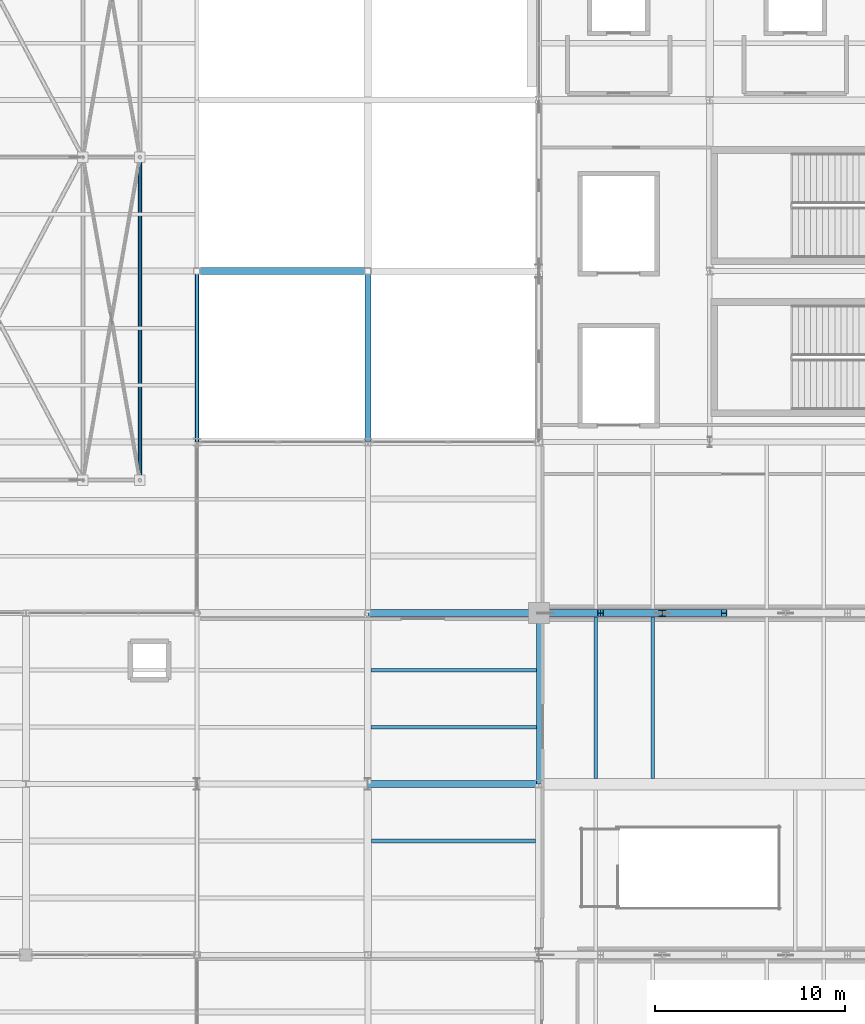
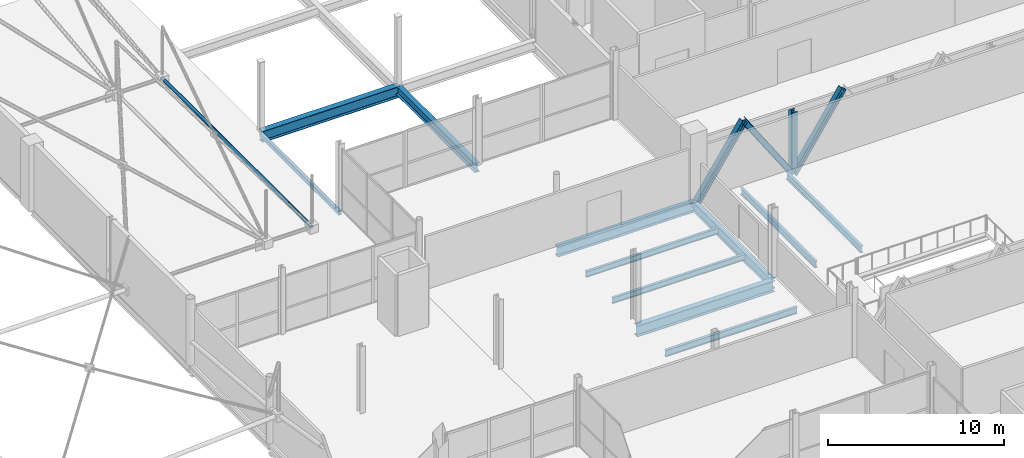
# One storey, part 135 of 224: 11 beams, 5 members.
"""IFC4 building model written with IfcOpenShell, lengths in metres."""

from ifc_helpers import new_model, si_unit, direction, frame, origin, origin_2d, place, context, subcontext, project, spatial, hollow_rectangle, hollow_circle, i_section, extrude, material, material_profile, profile_set, type_object, element, save


model = new_model("IFC4")

# Units and contexts
model_context = context("Model", 3, precision=1e-05, world=origin(), true_north=direction((0.0, 1.0)))
body_context = subcontext(model_context, "Body", "Model", "MODEL_VIEW")
ifc_project = project(units=[si_unit("LENGTHUNIT", "METRE"), si_unit("AREAUNIT", "SQUARE_METRE"), si_unit("VOLUMEUNIT", "CUBIC_METRE"), si_unit("PLANEANGLEUNIT", "RADIAN"), si_unit("MASSUNIT", "GRAM", prefix="KILO")], contexts=[model_context])

# Site, building, storey
site_placement = place(None, origin())
site = spatial("IfcSite", under=ifc_project, at=site_placement, CompositionType="ELEMENT")
building_placement = place(site_placement, origin())
building = spatial("IfcBuilding", under=site, at=building_placement, Name="Qamarlyn Nura Convention Centre", CompositionType="ELEMENT")
storey_placement = place(building_placement, frame((0.0, 0.0, 10.800048828125)))
storey = spatial("IfcBuildingStorey", under=building, at=storey_placement, Name="L02", CompositionType="ELEMENT", Elevation=10.800048828125)

# Beams
ifc_material_1 = material(Name="Steel ASTM A992", Category="steel")
ifc_material_profile_1 = material_profile(ifc_material_1, i_section(OverallWidth=0.323974609375, OverallDepth=0.611083984375, WebThickness=0.0126953125, FlangeThickness=0.01904296875, FilletRadius=0.01611328125, at=origin_2d()), Name="W610X155")
ifc_profile_set_1 = profile_set([ifc_material_profile_1], Name="Steel ASTM A992")
beam_type_1 = type_object("IfcBeamType", Name="BM-GIRD-610", PredefinedType="BEAM", material=ifc_profile_set_1)
beam_1_placement = place(storey_placement, frame((144.0, 54.0, -0.3056640625), z_axis=(0.0, 1.0, 0.0), x_axis=(-1.0, 0.0, 0.0)))
element("IfcBeam", 1, at=beam_1_placement, inside=storey, type_object=beam_type_1, Name="L02 girder 12 G-H", PredefinedType="BEAM", context=body_context, shape_type="SweptSolid", body=[
    extrude(i_section(OverallWidth=0.323974609375, OverallDepth=0.611083984375, WebThickness=0.0126953125, FlangeThickness=0.01904296875, FilletRadius=0.01611328125, at=origin_2d()), origin(), (0.0, 0.0, 1.0), 9.0),
])
ifc_material_profile_2 = material_profile(ifc_material_1, i_section(OverallWidth=0.35498046875, OverallDepth=0.695068359375, WebThickness=0.015380859375, FlangeThickness=0.02490234375, FilletRadius=0.01806640625, at=origin_2d()), Name="W690X217")
ifc_profile_set_2 = profile_set([ifc_material_profile_2], Name="Steel ASTM A992")
beam_type_2 = type_object("IfcBeamType", Name="BM-GIRD-690A", PredefinedType="BEAM", material=ifc_profile_set_2)
beam_2_placement = place(storey_placement, frame((144.0, 45.0, -0.607666015625), z_axis=(1.0, 0.0, 0.0), x_axis=(0.0, 1.0, 0.0)))
element("IfcBeam", 2, at=beam_2_placement, inside=storey, type_object=beam_type_2, Name="L02 girder F 12-13", PredefinedType="BEAM", context=body_context, shape_type="SweptSolid", body=[
    extrude(i_section(OverallWidth=0.35498046875, OverallDepth=0.695068359375, WebThickness=0.015380859375, FlangeThickness=0.02490234375, FilletRadius=0.01806640625, at=origin_2d()), origin(), (0.0, 0.0, 1.0), 9.0),
])
ifc_material_profile_3 = material_profile(ifc_material_1, i_section(OverallWidth=0.25390625, OverallDepth=0.68408203125, WebThickness=0.012451171875, FlangeThickness=0.01904296875, FilletRadius=0.01806640625, at=origin_2d()), Name="W690X140")
ifc_profile_set_3 = profile_set([ifc_material_profile_3], Name="Steel ASTM A992")
beam_type_3 = type_object("IfcBeamType", Name="BM-GIRD-690B", PredefinedType="BEAM", material=ifc_profile_set_3)
beam_3_placement = place(storey_placement, frame((153.0, 36.0, -0.60205078125), z_axis=(0.0, 1.0, 0.0), x_axis=(-1.0, 0.0, 0.0)))
element("IfcBeam", 3, at=beam_3_placement, inside=storey, type_object=beam_type_3, Name="L02 girder 13 E-F", PredefinedType="BEAM", context=body_context, shape_type="SweptSolid", body=[
    extrude(i_section(OverallWidth=0.25390625, OverallDepth=0.68408203125, WebThickness=0.012451171875, FlangeThickness=0.01904296875, FilletRadius=0.01806640625, at=origin_2d()), origin(), (0.0, 0.0, 1.0), 9.0),
])
ifc_material_profile_4 = material_profile(ifc_material_1, i_section(OverallWidth=0.381103515625, OverallDepth=0.77294921875, WebThickness=0.0166015625, FlangeThickness=0.027587890625, FilletRadius=0.02001953125, at=origin_2d()), Name="W760X257")
ifc_profile_set_4 = profile_set([ifc_material_profile_4], Name="Steel ASTM A992")
beam_type_4 = type_object("IfcBeamType", Name="BM-GIRD-760", PredefinedType="BEAM", material=ifc_profile_set_4)
for number, where, z_axis, x_axis, name in (
    (4, (144.0, 36.0, -0.646484375), (1.0, 0.0, 0.0), (0.0, 1.0, 0.0), "L02 girder E 12-13"),
    (5, (135.0, 63.0, -0.386474609375), (1.0, 0.0, 0.0), (0.0, 1.0, 0.0), "L02 girder H 11-12"),
):
    element("IfcBeam", number, at=place(storey_placement, frame(where, z_axis=z_axis, x_axis=x_axis)), inside=storey, type_object=beam_type_4, Name=name, PredefinedType="BEAM", context=body_context, shape_type="SweptSolid", body=[
        extrude(i_section(OverallWidth=0.381103515625, OverallDepth=0.77294921875, WebThickness=0.0166015625, FlangeThickness=0.027587890625, FilletRadius=0.02001953125, at=origin_2d()), origin(), (0.0, 0.0, 1.0), 9.0),
    ])
ifc_material_profile_5 = material_profile(ifc_material_1, i_section(OverallWidth=0.177978515625, OverallDepth=0.406982421875, WebThickness=0.0078125, FlangeThickness=0.0126953125, FilletRadius=0.011962890625, at=origin_2d()), Name="W410X60")
ifc_profile_set_5 = profile_set([ifc_material_profile_5], Name="Steel ASTM A992")
beam_type_5 = type_object("IfcBeamType", Name="BM-JOIST-410", PredefinedType="JOIST", material=ifc_profile_set_5)
for number, where, z_axis, x_axis, name in (
    (6, (144.177490234375, 39.0, -0.463623046875), (1.0, 0.0, 0.0), (0.0, 1.0, 0.0), "L02 composite joist 12-13/E+1"),
    (7, (144.177490234375, 42.0, -0.463623046875), (1.0, 0.0, 0.0), (0.0, 1.0, 0.0), "L02 composite joist 12-13/E+2"),
):
    element("IfcBeam", number, at=place(storey_placement, frame(where, z_axis=z_axis, x_axis=x_axis)), inside=storey, type_object=beam_type_5, Name=name, PredefinedType="JOIST", context=body_context, shape_type="SweptSolid", body=[
        extrude(i_section(OverallWidth=0.177978515625, OverallDepth=0.406982421875, WebThickness=0.0078125, FlangeThickness=0.0126953125, FilletRadius=0.011962890625, at=origin_2d()), origin(), (0.0, 0.0, 1.0), 8.695556640625),
    ])
ifc_material_profile_6 = material_profile(ifc_material_1, i_section(OverallWidth=0.18994140625, OverallDepth=0.45703125, WebThickness=0.009033203125, FlangeThickness=0.014404296875, FilletRadius=0.012939453125, at=origin_2d()), Name="W460X74")
ifc_profile_set_6 = profile_set([ifc_material_profile_6], Name="Steel ASTM A992")
beam_type_6 = type_object("IfcBeamType", Name="BM-JOIST-460", PredefinedType="JOIST", material=ifc_profile_set_6)
beam_4_placement = place(storey_placement, frame((144.1904296875, 33.0, -0.488525390625), z_axis=(1.0, 0.0, 0.0), x_axis=(0.0, 1.0, 0.0)))
element("IfcBeam", 8, at=beam_4_placement, inside=storey, type_object=beam_type_6, Name="L02 composite joist 12-13/D+2", PredefinedType="JOIST", context=body_context, shape_type="SweptSolid", body=[
    extrude(i_section(OverallWidth=0.18994140625, OverallDepth=0.45703125, WebThickness=0.009033203125, FlangeThickness=0.014404296875, FilletRadius=0.012939453125, at=origin_2d()), origin(), (0.0, 0.0, 1.0), 8.632080078125),
])
for number, where, z_axis, x_axis, name in (
    (9, (156.0, 36.300048828125, -0.488525390625), (0.0, 1.0, 0.0), (-1.0, 0.0, 0.0), "L02 secondary joist 13-14/E-F-05"),
    (10, (159.0, 36.300048828125, -0.488525390625), (0.0, 1.0, 0.0), (-1.0, 0.0, 0.0), "L02 secondary joist 13-14/E-F-06"),
):
    element("IfcBeam", number, at=place(storey_placement, frame(where, z_axis=z_axis, x_axis=x_axis)), inside=storey, type_object=beam_type_6, Name=name, PredefinedType="JOIST", context=body_context, shape_type="SweptSolid", body=[
        extrude(i_section(OverallWidth=0.18994140625, OverallDepth=0.45703125, WebThickness=0.009033203125, FlangeThickness=0.014404296875, FilletRadius=0.012939453125, at=origin_2d()), origin(), (0.0, 0.0, 1.0), 8.490966796875),
    ])
ifc_material_2 = material(Name="Steel ASTM A500 Grade C", Category="steel")
ifc_material_profile_7 = material_profile(ifc_material_2, hollow_rectangle(XDim=0.199951171875, YDim=0.300048828125, WallThickness=0.012451171875, InnerFilletRadius=0.012451171875, OuterFilletRadius=0.02490234375, at=origin_2d()), Name="HSS300X200X12.5")
ifc_profile_set_7 = profile_set([ifc_material_profile_7], Name="Steel ASTM A500 Grade C")
beam_type_7 = type_object("IfcBeamType", Name="BM-SPAN-HSS", PredefinedType="SPANDREL", material=ifc_profile_set_7)
beam_5_placement = place(storey_placement, frame((135.0, 54.0, -0.295166015625), z_axis=(0.0, 1.0, 0.0), x_axis=(-1.0, 0.0, 0.0)))
element("IfcBeam", 11, at=beam_5_placement, inside=storey, type_object=beam_type_7, Name="L02 girder 11 G-H", PredefinedType="SPANDREL", context=body_context, shape_type="SweptSolid", body=[
    extrude(hollow_rectangle(XDim=0.199951171875, YDim=0.300048828125, WallThickness=0.012451171875, InnerFilletRadius=0.012451171875, OuterFilletRadius=0.02490234375, at=origin_2d()), origin(), (0.0, 0.0, 1.0), 9.0),
])

# Members
ifc_material_3 = material(Name="Pearl-white PVDF steel ASTM A500 Grade C", Category="steel")
ifc_material_profile_8 = material_profile(ifc_material_3, hollow_circle(Radius=0.109619140625, WallThickness=0.010009765625, at=origin_2d()), Name="CHS219.1X10")
ifc_profile_set_8 = profile_set([ifc_material_profile_8], Name="Pearl-white PVDF steel ASTM A500 Grade C")
member_type_1 = type_object("IfcMemberType", Name="SF-BC-EAVE", PredefinedType="CHORD", material=ifc_profile_set_8)
member_1_placement = place(storey_placement, frame((132.0, 52.0, 1.0107421875), z_axis=(0.0, 1.0, 0.0), x_axis=(-1.0, 0.0, 0.0)))
element("IfcMember", 12, at=member_1_placement, inside=storey, type_object=member_type_1, Name="ROOF TRUSS space frame bottom chord Y12-4", PredefinedType="CHORD", context=body_context, shape_type="SweptSolid", body=[
    extrude(hollow_circle(Radius=0.109619140625, WallThickness=0.010009765625, at=origin_2d()), origin(), (0.0, 0.0, 1.0), 17.0),
])
ifc_material_profile_9 = material_profile(ifc_material_1, i_section(OverallWidth=0.3740234375, OverallDepth=0.3720703125, WebThickness=0.016357421875, FlangeThickness=0.026123046875, FilletRadius=0.01611328125, at=origin_2d()), Name="W360X196")
ifc_profile_set_9 = profile_set([ifc_material_profile_9], Name="Steel ASTM A992")
member_type_2 = type_object("IfcMemberType", Name="TT-DIAG-01", PredefinedType="BRACE", material=ifc_profile_set_9)
for number, where, z_axis, x_axis, name in (
    (13, (153.0, 45.0, -0.716064453125), (0.555875275564, 0.0, 0.831265708433), (0.0, 1.0, 0.0), "Warren transfer structure diagonal F-1A"),
    (14, (156.25, 45.0, 4.14404296875), (0.555875275564, 0.0, -0.831265708433), (0.0, 1.0, 0.0), "Warren transfer structure diagonal F-1B"),
):
    element("IfcMember", number, at=place(storey_placement, frame(where, z_axis=z_axis, x_axis=x_axis)), inside=storey, type_object=member_type_2, Name=name, PredefinedType="BRACE", context=body_context, shape_type="SweptSolid", body=[
        extrude(i_section(OverallWidth=0.3740234375, OverallDepth=0.3720703125, WebThickness=0.016357421875, FlangeThickness=0.026123046875, FilletRadius=0.01611328125, at=origin_2d()), origin(), (0.0, 0.0, 1.0), 5.8466796875),
    ])
ifc_material_profile_10 = material_profile(ifc_material_1, i_section(OverallWidth=0.368896484375, OverallDepth=0.35595703125, WebThickness=0.01123046875, FlangeThickness=0.01806640625, FilletRadius=0.014892578125, at=origin_2d()), Name="W360X134")
ifc_profile_set_10 = profile_set([ifc_material_profile_10], Name="Steel ASTM A992")
member_type_3 = type_object("IfcMemberType", Name="TT-DIAG-02", PredefinedType="BRACE", material=ifc_profile_set_10)
member_2_placement = place(storey_placement, frame((159.5, 45.0, -0.716064453125), z_axis=(0.555875275564, 0.0, 0.831265708433), x_axis=(0.0, 1.0, 0.0)))
element("IfcMember", 15, at=member_2_placement, inside=storey, type_object=member_type_3, Name="Warren transfer structure diagonal F-2A", PredefinedType="BRACE", context=body_context, shape_type="SweptSolid", body=[
    extrude(i_section(OverallWidth=0.368896484375, OverallDepth=0.35595703125, WebThickness=0.01123046875, FlangeThickness=0.01806640625, FilletRadius=0.014892578125, at=origin_2d()), origin(), (0.0, 0.0, 1.0), 5.8466796875),
])
ifc_material_profile_11 = material_profile(ifc_material_1, i_section(OverallWidth=0.3740234375, OverallDepth=0.3720703125, WebThickness=0.016357421875, FlangeThickness=0.026123046875, FilletRadius=0.01611328125, at=origin_2d()), Name="W360X196")
ifc_profile_set_11 = profile_set([ifc_material_profile_11], Name="Steel ASTM A992")
member_type_4 = type_object("IfcMemberType", Name="TT-VERT-01", PredefinedType="BRACE", material=ifc_profile_set_11)
member_3_placement = place(storey_placement, frame((159.5, 45.0, -0.260009765625), z_axis=(0.0, 0.0, 1.0), x_axis=(1.0, 0.0, 0.0)))
element("IfcMember", 16, at=member_3_placement, inside=storey, type_object=member_type_4, Name="Warren transfer truss vertical hanger F-1", PredefinedType="BRACE", context=body_context, shape_type="SweptSolid", body=[
    extrude(i_section(OverallWidth=0.3740234375, OverallDepth=0.3720703125, WebThickness=0.016357421875, FlangeThickness=0.026123046875, FilletRadius=0.01611328125, at=origin_2d()), origin(), (0.0, 0.0, 1.0), 3.947998046875),
])

save(model, "model.ifc")
